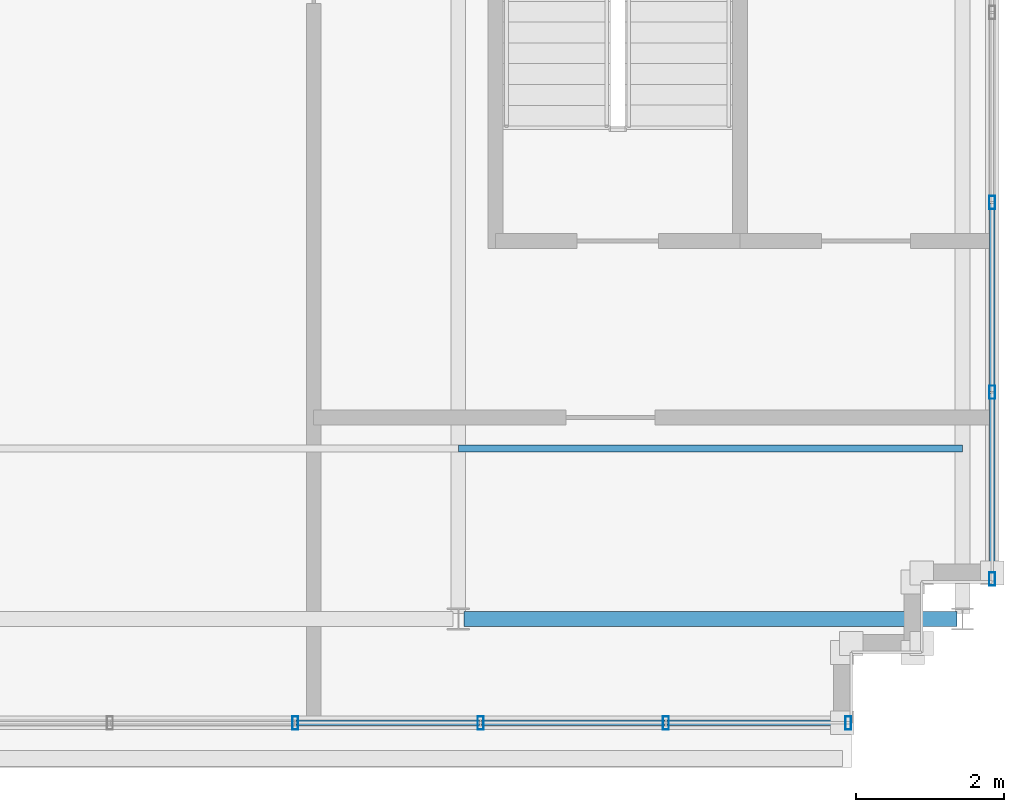
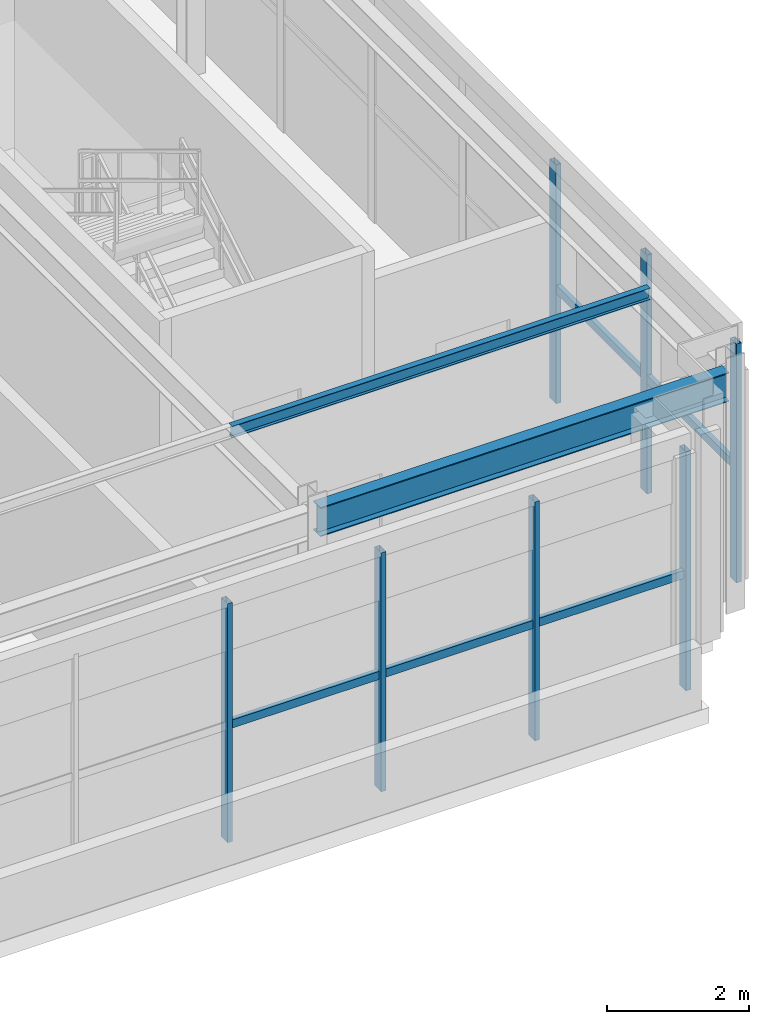
# One storey, part 15 of 28: 13 members, 1 beam, 2 elements without a shape of their own.
"""IFC4 building model written with IfcOpenShell, lengths in metres."""

from ifc_helpers import new_model, si_unit, direction, frame, origin, origin_2d, place, context, subcontext, project, spatial, hollow_rectangle, i_section, extrude, source, transform, mapped, material, material_profile, profile_set, type_object, element, aggregate, save


model = new_model("IFC4")

# Units and contexts
model_context = context("Model", 3, precision=1e-05, world=origin(), true_north=direction((0.0, 1.0)))
body_context = subcontext(model_context, "Body", "Model", "MODEL_VIEW")
ifc_project = project(units=[si_unit("LENGTHUNIT", "METRE"), si_unit("AREAUNIT", "SQUARE_METRE"), si_unit("VOLUMEUNIT", "CUBIC_METRE"), si_unit("PLANEANGLEUNIT", "RADIAN"), si_unit("MASSUNIT", "GRAM", prefix="KILO")], contexts=[model_context])

# Site, building, storey
site_placement = place(None, origin())
site = spatial("IfcSite", under=ifc_project, at=site_placement, CompositionType="ELEMENT")
building_placement = place(site_placement, origin())
building = spatial("IfcBuilding", under=site, at=building_placement, Name="Trelvane Seafront Commons", CompositionType="ELEMENT")
storey_placement = place(building_placement, frame((0.0, 0.0, 312.300048828125)))
storey = spatial("IfcBuildingStorey", under=building, at=storey_placement, Name="L81", CompositionType="ELEMENT", Elevation=312.300048828125)

# Beam
ifc_material_1 = material(Name="Steel SM355 (S355)", Category="steel")
ifc_material_profile_1 = material_profile(ifc_material_1, i_section(OverallWidth=0.199951171875, OverallDepth=0.5, WebThickness=0.010009765625, FlangeThickness=0.01611328125, at=origin_2d()), Name="H-500x200x10x16")
ifc_profile_set_1 = profile_set([ifc_material_profile_1], Name="Steel SM355 (S355)")
beam_type = type_object("IfcBeamType", Name="STR-CROWN-FRAME-RING", PredefinedType="SPANDREL", material=ifc_profile_set_1)
shared_shape_1 = source(origin(), body_context, "Body", "SweptSolid", [
    extrude(i_section(OverallWidth=0.199951171875, OverallDepth=0.5, WebThickness=0.010009765625, FlangeThickness=0.01611328125, at=origin_2d()), origin(), (0.0, 0.0, 1.0), 6.64990234375),
])
beam_placement = place(storey_placement, frame((58.875, 18.199951171875, 3.85986328125), z_axis=(1.0, 0.0, 0.0), x_axis=(0.0, 1.0, 0.0)))
element("IfcBeam", 1, at=beam_placement, inside=storey, type_object=beam_type, Name="L81 CROWN FRAME Ring Beam G-04", PredefinedType="SPANDREL", context=body_context, shape_type="MappedRepresentation", body=[
    mapped(shared_shape_1, transform((0.0, 0.0, 0.0), x_axis=(1.0, 0.0, 0.0), y_axis=(0.0, 1.0, 0.0), z_axis=(0.0, 0.0, 1.0), scale=1.0)),
])

# Member
ifc_material_profile_2 = material_profile(ifc_material_1, i_section(OverallWidth=0.10009765625, OverallDepth=0.199951171875, WebThickness=0.005615234375, FlangeThickness=0.008056640625, at=origin_2d()), Name="H-200x100x5.5x8")
ifc_profile_set_2 = profile_set([ifc_material_profile_2], Name="Steel SM355 (S355)")
member_type_1 = type_object("IfcMemberType", Name="STR-PUR-H200", PredefinedType="PURLIN", material=ifc_profile_set_2)
shared_shape_2 = source(origin(), body_context, "Body", "SweptSolid", [
    extrude(i_section(OverallWidth=0.10009765625, OverallDepth=0.199951171875, WebThickness=0.005615234375, FlangeThickness=0.008056640625, at=origin_2d()), origin(), (0.0, 0.0, 1.0), 6.800048828125),
])
member_1_placement = place(storey_placement, frame((58.800048828125, 20.5, 4.010009765625), z_axis=(1.0, 0.0, 0.0), x_axis=(0.0, 1.0, 0.0)))
element("IfcMember", 2, at=member_1_placement, inside=storey, type_object=member_type_1, Name="L81 Crown Roof Purlin PR-1", PredefinedType="PURLIN", context=body_context, shape_type="MappedRepresentation", body=[
    mapped(shared_shape_2, transform((0.0, 0.0, 0.0), x_axis=(1.0, 0.0, 0.0), y_axis=(0.0, 1.0, 0.0), z_axis=(0.0, 0.0, 1.0), scale=1.0)),
])

# Curtain wall, members
ifc_material_2 = material(Name="Anodised pale-silver aluminium", Category="aluminium")
curtain_wall_type = type_object("IfcCurtainWallType", Name="ARCH-CW6-CROWN", PredefinedType="NOTDEFINED", material=ifc_material_2)
curtain_wall_1_placement = place(storey_placement, origin())
curtain_wall_1 = element("IfcCurtainWall", 3, at=curtain_wall_1_placement, inside=storey, type_object=curtain_wall_type, Name="CW-L81-0150", PredefinedType="NOTDEFINED")
ifc_material_profile_3 = material_profile(ifc_material_2, hollow_rectangle(XDim=0.080078125, YDim=0.179931640625, WallThickness=0.00439453125, at=origin_2d()), Name="MULL-80x180x4.5")
ifc_profile_set_3 = profile_set([ifc_material_profile_3], Name="Anodised pale-silver aluminium")
member_type_2 = type_object("IfcMemberType", Name="ARCH-CW-MULL-180", PredefinedType="MULLION", material=ifc_profile_set_3)
shared_shape_3 = source(origin(), body_context, "Body", "SweptSolid", [
    extrude(hollow_rectangle(XDim=0.080078125, YDim=0.179931640625, WallThickness=0.00439453125, at=origin_2d()), origin(), (0.0, 0.0, 1.0), 4.10986328125),
])
member_2_placement = place(storey_placement, frame((66.0, 23.820068359375, 0.0), z_axis=(0.0, 0.0, 1.0), x_axis=(1.0, 0.0, 0.0)))
member_2 = element("IfcMember", 4, at=member_2_placement, type_object=member_type_2, Name="CW-L81-0150-M08", PredefinedType="MULLION", context=body_context, shape_type="MappedRepresentation", body=[
    mapped(shared_shape_3, transform((0.0, 0.0, 0.0), x_axis=(1.0, 0.0, 0.0), y_axis=(0.0, 1.0, 0.0), z_axis=(0.0, 0.0, 1.0), scale=1.0)),
])
member_3_placement = place(storey_placement, frame((66.0, 21.260009765625, 0.0), z_axis=(0.0, 0.0, 1.0), x_axis=(1.0, 0.0, 0.0)))
member_3 = element("IfcMember", 5, at=member_3_placement, type_object=member_type_2, Name="CW-L81-0150-M09", PredefinedType="MULLION", context=body_context, shape_type="MappedRepresentation", body=[
    mapped(shared_shape_3, transform((0.0, 0.0, 0.0), x_axis=(1.0, 0.0, 0.0), y_axis=(0.0, 1.0, 0.0), z_axis=(0.0, 0.0, 1.0), scale=1.0)),
])
member_4_placement = place(storey_placement, frame((66.0, 18.739990234375, 0.0), z_axis=(0.0, 0.0, 1.0), x_axis=(1.0, 0.0, 0.0)))
member_4 = element("IfcMember", 6, at=member_4_placement, type_object=member_type_2, Name="CW-L81-0150-M10", PredefinedType="MULLION", context=body_context, shape_type="MappedRepresentation", body=[
    mapped(shared_shape_3, transform((0.0, 0.0, 0.0), x_axis=(1.0, 0.0, 0.0), y_axis=(0.0, 1.0, 0.0), z_axis=(0.0, 0.0, 1.0), scale=1.0)),
])

curtain_wall_2_placement = place(storey_placement, origin())
curtain_wall_2 = element("IfcCurtainWall", 7, at=curtain_wall_2_placement, inside=storey, type_object=curtain_wall_type, Name="CW-L81-0151", PredefinedType="NOTDEFINED")
member_5_placement = place(storey_placement, frame((64.06005859375, 16.800048828125, 0.0), z_axis=(0.0, 0.0, 1.0), x_axis=(1.0, 0.0, 0.0)))
member_5 = element("IfcMember", 8, at=member_5_placement, type_object=member_type_2, Name="CW-L81-0151-M00", PredefinedType="MULLION", context=body_context, shape_type="MappedRepresentation", body=[
    mapped(shared_shape_3, transform((0.0, 0.0, 0.0), x_axis=(1.0, 0.0, 0.0), y_axis=(0.0, 1.0, 0.0), z_axis=(0.0, 0.0, 1.0), scale=1.0)),
])
member_6_placement = place(storey_placement, frame((61.60009765625, 16.800048828125, 0.0), z_axis=(0.0, 0.0, 1.0), x_axis=(1.0, 0.0, 0.0)))
member_6 = element("IfcMember", 9, at=member_6_placement, type_object=member_type_2, Name="CW-L81-0151-M01", PredefinedType="MULLION", context=body_context, shape_type="MappedRepresentation", body=[
    mapped(shared_shape_3, transform((0.0, 0.0, 0.0), x_axis=(1.0, 0.0, 0.0), y_axis=(0.0, 1.0, 0.0), z_axis=(0.0, 0.0, 1.0), scale=1.0)),
])
member_7_placement = place(storey_placement, frame((59.10009765625, 16.800048828125, 0.0), z_axis=(0.0, 0.0, 1.0), x_axis=(1.0, 0.0, 0.0)))
member_7 = element("IfcMember", 10, at=member_7_placement, type_object=member_type_2, Name="CW-L81-0151-M02", PredefinedType="MULLION", context=body_context, shape_type="MappedRepresentation", body=[
    mapped(shared_shape_3, transform((0.0, 0.0, 0.0), x_axis=(1.0, 0.0, 0.0), y_axis=(0.0, 1.0, 0.0), z_axis=(0.0, 0.0, 1.0), scale=1.0)),
])
member_8_placement = place(storey_placement, frame((56.60009765625, 16.800048828125, 0.0), z_axis=(0.0, 0.0, 1.0), x_axis=(1.0, 0.0, 0.0)))
member_8 = element("IfcMember", 11, at=member_8_placement, type_object=member_type_2, Name="CW-L81-0151-M03", PredefinedType="MULLION", context=body_context, shape_type="MappedRepresentation", body=[
    mapped(shared_shape_3, transform((0.0, 0.0, 0.0), x_axis=(1.0, 0.0, 0.0), y_axis=(0.0, 1.0, 0.0), z_axis=(0.0, 0.0, 1.0), scale=1.0)),
])

# Member
ifc_material_profile_4 = material_profile(ifc_material_2, hollow_rectangle(XDim=0.074951171875, YDim=0.139892578125, WallThickness=0.00390625, at=origin_2d()), Name="TRAN-75x140x4")
ifc_profile_set_4 = profile_set([ifc_material_profile_4], Name="Anodised pale-silver aluminium")
member_type_3 = type_object("IfcMemberType", Name="ARCH-CW-TRAN-140", PredefinedType="USERDEFINED", material=ifc_profile_set_4)
shared_shape_4 = source(origin(), body_context, "Body", "SweptSolid", [
    extrude(hollow_rectangle(XDim=0.074951171875, YDim=0.139892578125, WallThickness=0.00390625, at=origin_2d()), origin(), (0.0, 0.0, 1.0), 2.5361328125),
])
member_9_placement = place(storey_placement, frame((66.0, 23.80810546875, 1.972900390625), z_axis=(0.0, -1.0, 0.0), x_axis=(1.0, 0.0, 0.0)))
member_9 = element("IfcMember", 12, at=member_9_placement, type_object=member_type_3, Name="CW-L81-0150-T08", ObjectType="TRANSOM", PredefinedType="USERDEFINED", context=body_context, shape_type="MappedRepresentation", body=[
    mapped(shared_shape_4, transform((0.0, 0.0, 0.0), x_axis=(1.0, 0.0, 0.0), y_axis=(0.0, 1.0, 0.0), z_axis=(0.0, 0.0, 1.0), scale=1.0)),
])

member_10_placement = place(storey_placement, frame((66.0, 21.248046875, 1.972900390625), z_axis=(0.0, -1.0, 0.0), x_axis=(1.0, 0.0, 0.0)))
member_10 = element("IfcMember", 13, at=member_10_placement, type_object=member_type_3, Name="CW-L81-0150-T09", ObjectType="TRANSOM", PredefinedType="USERDEFINED", context=body_context, shape_type="MappedRepresentation", body=[
    mapped(shared_shape_4, transform((0.0, 0.0, 0.0), x_axis=(1.0, 0.0, 0.0), y_axis=(0.0, 1.0, 0.0), z_axis=(0.0, 0.0, 1.0), scale=1.0)),
])

aggregate(curtain_wall_1, [member_2, member_3, member_4, member_9, member_10])

shared_shape_5 = source(origin(), body_context, "Body", "SweptSolid", [
    extrude(hollow_rectangle(XDim=0.074951171875, YDim=0.139892578125, WallThickness=0.00390625, at=origin_2d()), origin(), (0.0, 0.0, 1.0), 2.475830078125),
])
member_11_placement = place(storey_placement, frame((64.087890625, 16.800048828125, 1.972900390625), z_axis=(-1.0, 0.0, 0.0), x_axis=(0.0, -1.0, 0.0)))
member_11 = element("IfcMember", 14, at=member_11_placement, type_object=member_type_3, Name="CW-L81-0151-T00", ObjectType="TRANSOM", PredefinedType="USERDEFINED", context=body_context, shape_type="MappedRepresentation", body=[
    mapped(shared_shape_5, transform((0.0, 0.0, 0.0), x_axis=(1.0, 0.0, 0.0), y_axis=(0.0, 1.0, 0.0), z_axis=(0.0, 0.0, 1.0), scale=1.0)),
])

member_12_placement = place(storey_placement, frame((61.587890625, 16.800048828125, 1.972900390625), z_axis=(-1.0, 0.0, 0.0), x_axis=(0.0, -1.0, 0.0)))
member_12 = element("IfcMember", 15, at=member_12_placement, type_object=member_type_3, Name="CW-L81-0151-T01", ObjectType="TRANSOM", PredefinedType="USERDEFINED", context=body_context, shape_type="MappedRepresentation", body=[
    mapped(shared_shape_5, transform((0.0, 0.0, 0.0), x_axis=(1.0, 0.0, 0.0), y_axis=(0.0, 1.0, 0.0), z_axis=(0.0, 0.0, 1.0), scale=1.0)),
])

member_13_placement = place(storey_placement, frame((59.087890625, 16.800048828125, 1.972900390625), z_axis=(-1.0, 0.0, 0.0), x_axis=(0.0, -1.0, 0.0)))
member_13 = element("IfcMember", 16, at=member_13_placement, type_object=member_type_3, Name="CW-L81-0151-T02", ObjectType="TRANSOM", PredefinedType="USERDEFINED", context=body_context, shape_type="MappedRepresentation", body=[
    mapped(shared_shape_5, transform((0.0, 0.0, 0.0), x_axis=(1.0, 0.0, 0.0), y_axis=(0.0, 1.0, 0.0), z_axis=(0.0, 0.0, 1.0), scale=1.0)),
])

aggregate(curtain_wall_2, [member_5, member_6, member_7, member_8, member_11, member_12, member_13])

save(model, "model.ifc")
